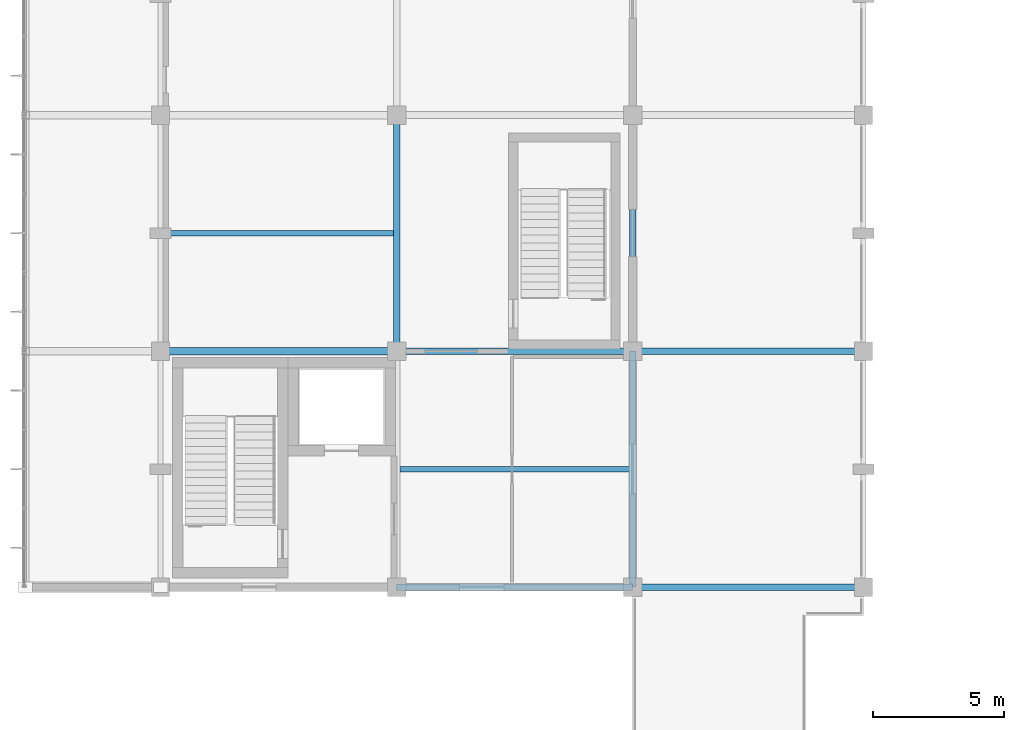
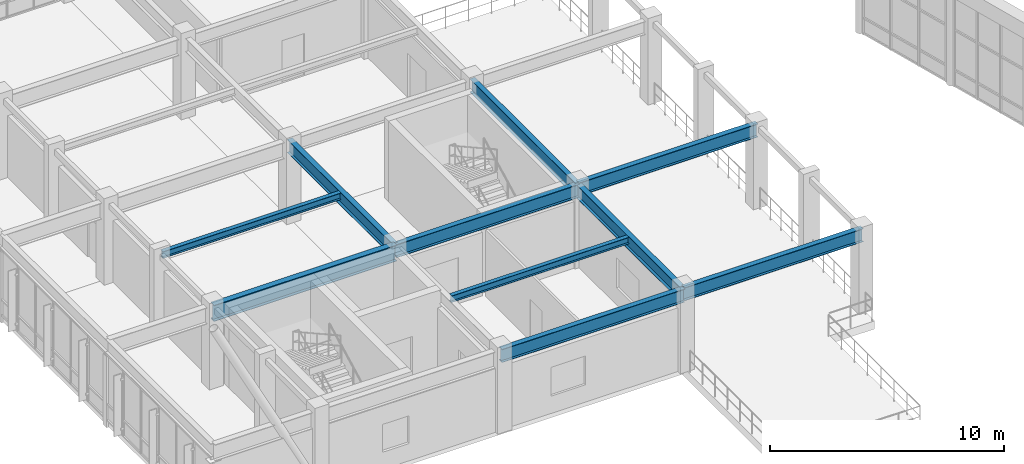
# One storey, part 17 of 55: 10 beams.
"""IFC4 building model written with IfcOpenShell, lengths in metres."""

from ifc_helpers import new_model, si_unit, direction, frame, origin, origin_2d, place, context, subcontext, project, spatial, i_section, extrude, material, material_profile, profile_set, type_object, element, save


model = new_model("IFC4")

# Units and contexts
model_context = context("Model", 3, precision=1e-05, world=origin(), true_north=direction((0.0, 1.0)))
body_context = subcontext(model_context, "Body", "Model", "MODEL_VIEW")
ifc_project = project(units=[si_unit("LENGTHUNIT", "METRE"), si_unit("AREAUNIT", "SQUARE_METRE"), si_unit("VOLUMEUNIT", "CUBIC_METRE"), si_unit("PLANEANGLEUNIT", "RADIAN"), si_unit("MASSUNIT", "GRAM", prefix="KILO")], contexts=[model_context])

# Site, building, storey
site_placement = place(None, origin())
site = spatial("IfcSite", under=ifc_project, at=site_placement, CompositionType="ELEMENT")
building_placement = place(site_placement, origin())
building = spatial("IfcBuilding", under=site, at=building_placement, Name="Ventoquebrada Cableway Terminal", CompositionType="ELEMENT")
storey_placement = place(building_placement, frame((0.0, 0.0, 14.39990234375)))
storey = spatial("IfcBuildingStorey", under=building, at=storey_placement, Name="L03", CompositionType="ELEMENT", Elevation=14.39990234375)

# Beams
ifc_material = material(Name="Steel ASTM A992 Grade 50", Category="steel")
ifc_material_profile_1 = material_profile(ifc_material, i_section(OverallWidth=0.25390625, OverallDepth=0.68798828125, WebThickness=0.01318359375, FlangeThickness=0.02099609375, at=origin_2d()), Name="W27X102")
ifc_profile_set_1 = profile_set([ifc_material_profile_1], Name="Steel ASTM A992 Grade 50")
beam_type_1 = type_object("IfcBeamType", Name="BM-ST04", PredefinedType="BEAM", material=ifc_profile_set_1)
beam_1_placement = place(storey_placement, frame((17.199951171875, 77.0, 3.821044921875), z_axis=(1.0, 0.0, 0.0), x_axis=(0.0, 1.0, 0.0)))
element("IfcBeam", 1, at=beam_1_placement, inside=storey, type_object=beam_type_1, Name="Primary frame girder FBM-0490", PredefinedType="BEAM", context=body_context, shape_type="SweptSolid", body=[
    extrude(i_section(OverallWidth=0.25390625, OverallDepth=0.68798828125, WebThickness=0.01318359375, FlangeThickness=0.02099609375, at=origin_2d()), origin(), (0.0, 0.0, 1.0), 9.0),
])
beam_2_placement = place(storey_placement, frame((26.199951171875, 77.0, 3.885986328125), z_axis=(1.0, 0.0, 0.0), x_axis=(0.0, 1.0, 0.0)))
element("IfcBeam", 2, at=beam_2_placement, inside=storey, type_object=beam_type_1, Name="Primary frame girder FBM-0491", PredefinedType="BEAM", context=body_context, shape_type="SweptSolid", body=[
    extrude(i_section(OverallWidth=0.25390625, OverallDepth=0.68798828125, WebThickness=0.01318359375, FlangeThickness=0.02099609375, at=origin_2d()), origin(), (0.0, 0.0, 1.0), 8.800048828125),
])
beam_3_placement = place(storey_placement, frame((17.199951171875, 86.0, 3.821044921875), z_axis=(1.0, 0.0, 0.0), x_axis=(0.0, 1.0, 0.0)))
element("IfcBeam", 3, at=beam_3_placement, inside=storey, type_object=beam_type_1, Name="Primary frame girder FBM-0493", PredefinedType="BEAM", context=body_context, shape_type="SweptSolid", body=[
    extrude(i_section(OverallWidth=0.25390625, OverallDepth=0.68798828125, WebThickness=0.01318359375, FlangeThickness=0.02099609375, at=origin_2d()), origin(), (0.0, 0.0, 1.0), 9.0),
])
beam_4_placement = place(storey_placement, frame((26.199951171875, 86.0, 3.885986328125), z_axis=(1.0, 0.0, 0.0), x_axis=(0.0, 1.0, 0.0)))
element("IfcBeam", 4, at=beam_4_placement, inside=storey, type_object=beam_type_1, Name="Primary frame girder FBM-0494", PredefinedType="BEAM", context=body_context, shape_type="SweptSolid", body=[
    extrude(i_section(OverallWidth=0.25390625, OverallDepth=0.68798828125, WebThickness=0.01318359375, FlangeThickness=0.02099609375, at=origin_2d()), origin(), (0.0, 0.0, 1.0), 8.800048828125),
])
for number, where, z_axis, x_axis, name in (
    (5, (17.199951171875, 86.0, 3.821044921875), (0.0, 1.0, 0.0), (-1.0, 0.0, 0.0), "Primary frame girder FBM-0516"),
    (6, (26.199951171875, 77.0, 3.821044921875), (0.0, 1.0, 0.0), (-1.0, 0.0, 0.0), "Primary frame girder FBM-0519"),
    (7, (26.199951171875, 86.0, 3.821044921875), (0.0, 1.0, 0.0), (-1.0, 0.0, 0.0), "Primary frame girder FBM-0520"),
):
    element("IfcBeam", number, at=place(storey_placement, frame(where, z_axis=z_axis, x_axis=x_axis)), inside=storey, type_object=beam_type_1, Name=name, PredefinedType="BEAM", context=body_context, shape_type="SweptSolid", body=[
        extrude(i_section(OverallWidth=0.25390625, OverallDepth=0.68798828125, WebThickness=0.01318359375, FlangeThickness=0.02099609375, at=origin_2d()), origin(), (0.0, 0.0, 1.0), 9.0),
    ])
ifc_material_profile_2 = material_profile(ifc_material, i_section(OverallWidth=0.2919921875, OverallDepth=0.845947265625, WebThickness=0.015380859375, FlangeThickness=0.0244140625, at=origin_2d()), Name="W33X141")
ifc_profile_set_2 = profile_set([ifc_material_profile_2], Name="Steel ASTM A992 Grade 50")
beam_type_2 = type_object("IfcBeamType", Name="BM-ST06", PredefinedType="BEAM", material=ifc_profile_set_2)
beam_5_placement = place(storey_placement, frame((8.199951171875, 86.0, 3.7421875), z_axis=(1.0, 0.0, 0.0), x_axis=(0.0, 1.0, 0.0)))
element("IfcBeam", 8, at=beam_5_placement, inside=storey, type_object=beam_type_2, Name="Primary frame girder FBM-0492", PredefinedType="BEAM", context=body_context, shape_type="SweptSolid", body=[
    extrude(i_section(OverallWidth=0.2919921875, OverallDepth=0.845947265625, WebThickness=0.015380859375, FlangeThickness=0.0244140625, at=origin_2d()), origin(), (0.0, 0.0, 1.0), 9.0),
])
ifc_material_profile_3 = material_profile(ifc_material, i_section(OverallWidth=0.2041015625, OverallDepth=0.35009765625, WebThickness=0.008544921875, FlangeThickness=0.01513671875, at=origin_2d()), Name="W14X48")
ifc_profile_set_3 = profile_set([ifc_material_profile_3], Name="Steel ASTM A992 Grade 50")
beam_type_3 = type_object("IfcBeamType", Name="JST-ST05", PredefinedType="JOIST", material=ifc_profile_set_3)
beam_6_placement = place(storey_placement, frame((8.300048828125, 90.5, 3.989990234375), z_axis=(1.0, 0.0, 0.0), x_axis=(0.0, 1.0, 0.0)))
element("IfcBeam", 9, at=beam_6_placement, inside=storey, type_object=beam_type_3, Name="Secondary floor joist JB-022", PredefinedType="JOIST", context=body_context, shape_type="SweptSolid", body=[
    extrude(i_section(OverallWidth=0.2041015625, OverallDepth=0.35009765625, WebThickness=0.008544921875, FlangeThickness=0.01513671875, at=origin_2d()), origin(), (0.0, 0.0, 1.0), 8.77294921875),
])
beam_7_placement = place(storey_placement, frame((17.326904296875, 81.5, 3.989990234375), z_axis=(1.0, 0.0, 0.0), x_axis=(0.0, 1.0, 0.0)))
element("IfcBeam", 10, at=beam_7_placement, inside=storey, type_object=beam_type_3, Name="Secondary floor joist JB-024", PredefinedType="JOIST", context=body_context, shape_type="SweptSolid", body=[
    extrude(i_section(OverallWidth=0.2041015625, OverallDepth=0.35009765625, WebThickness=0.008544921875, FlangeThickness=0.01513671875, at=origin_2d()), origin(), (0.0, 0.0, 1.0), 8.74609375),
])

save(model, "model.ifc")
